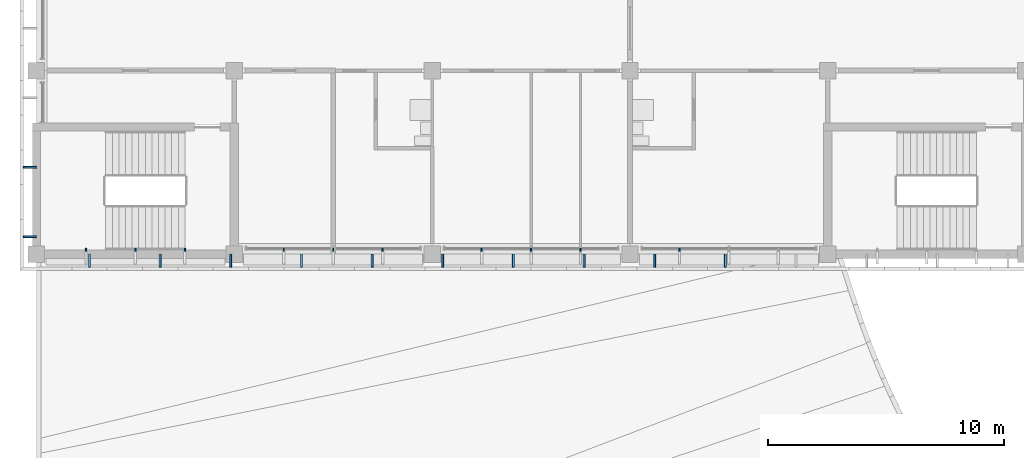
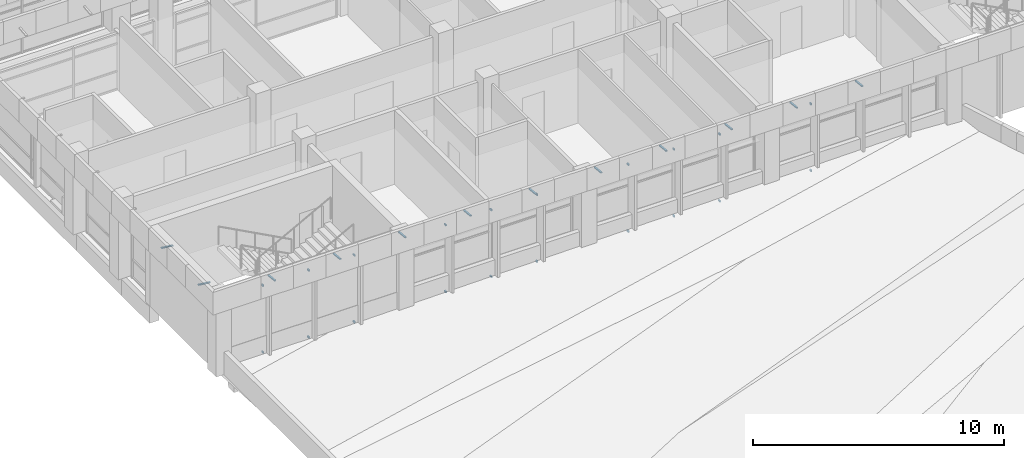
# One storey, part 48 of 74: 32 discrete accessories.
"""IFC4 building model written with IfcOpenShell, lengths in metres."""

from ifc_helpers import new_model, si_unit, direction, frame, origin, origin_2d, place, context, subcontext, project, spatial, rectangle, extrude, material, material_profile, profile_set, type_object, element, save


model = new_model("IFC4")

# Units and contexts
model_context = context("Model", 3, precision=1e-05, world=origin(), true_north=direction((0.0, 1.0)))
body_context = subcontext(model_context, "Body", "Model", "MODEL_VIEW")
ifc_project = project(units=[si_unit("LENGTHUNIT", "METRE"), si_unit("AREAUNIT", "SQUARE_METRE"), si_unit("VOLUMEUNIT", "CUBIC_METRE"), si_unit("PLANEANGLEUNIT", "RADIAN"), si_unit("MASSUNIT", "GRAM", prefix="KILO")], contexts=[model_context])

# Site, building, storey
site_placement = place(None, origin())
site = spatial("IfcSite", under=ifc_project, at=site_placement, CompositionType="ELEMENT")
building_placement = place(site_placement, origin())
building = spatial("IfcBuilding", under=site, at=building_placement, Name="Bougainvillea Quay General Hospital", CompositionType="ELEMENT")
storey_placement = place(building_placement, frame((0.0, 0.0, 21.0)))
storey = spatial("IfcBuildingStorey", under=building, at=storey_placement, Name="L04", CompositionType="ELEMENT", Elevation=21.0)

# Discrete accessories
ifc_material = material(Name="Stainless steel bracket, grade 316", Category="steel")
discrete_accessory_type_1 = type_object("IfcDiscreteAccessoryType", Name="Stainless steel fin arm 60x80", PredefinedType="BRACKET", material=ifc_material)
for number, where, z_axis, x_axis, name in (
    (1, (69.300048828125, 117.7900390625, 0.0), (0.0, 0.0, 1.0), (0.0, -1.0, 0.0), "Fin arm V5B L04 01.36B"),
    (2, (69.300048828125, 117.7900390625, 3.25), (0.0, 0.0, 1.0), (0.0, -1.0, 0.0), "Fin arm V5B L04 01.36T"),
    (3, (65.10009765625, 117.7900390625, 0.0), (0.0, 0.0, 1.0), (0.0, -1.0, 0.0), "Fin arm V5B L04 01.37B"),
    (4, (65.10009765625, 117.7900390625, 3.25), (0.0, 0.0, 1.0), (0.0, -1.0, 0.0), "Fin arm V5B L04 01.37T"),
    (5, (63.0, 117.7900390625, 0.0), (0.0, 0.0, 1.0), (0.0, -1.0, 0.0), "Fin arm V5B L04 01.38B"),
    (6, (63.0, 117.7900390625, 3.25), (0.0, 0.0, 1.0), (0.0, -1.0, 0.0), "Fin arm V5B L04 01.38T"),
    (7, (60.89990234375, 117.7900390625, 0.0), (0.0, 0.0, 1.0), (0.0, -1.0, 0.0), "Fin arm V5B L04 01.39B"),
    (8, (60.89990234375, 117.7900390625, 3.25), (0.0, 0.0, 1.0), (0.0, -1.0, 0.0), "Fin arm V5B L04 01.39T"),
    (9, (56.699951171875, 117.7900390625, 0.0), (0.0, 0.0, 1.0), (0.0, -1.0, 0.0), "Fin arm V5B L04 01.40B"),
    (10, (56.699951171875, 117.7900390625, 3.25), (0.0, 0.0, 1.0), (0.0, -1.0, 0.0), "Fin arm V5B L04 01.40T"),
    (11, (54.60009765625, 117.7900390625, 0.0), (0.0, 0.0, 1.0), (0.0, -1.0, 0.0), "Fin arm V5B L04 01.41B"),
    (12, (54.60009765625, 117.7900390625, 3.25), (0.0, 0.0, 1.0), (0.0, -1.0, 0.0), "Fin arm V5B L04 01.41T"),
    (13, (52.5, 117.7900390625, 0.0), (0.0, 0.0, 1.0), (0.0, -1.0, 0.0), "Fin arm V5B L04 01.42B"),
    (14, (52.5, 117.7900390625, 3.25), (0.0, 0.0, 1.0), (0.0, -1.0, 0.0), "Fin arm V5B L04 01.42T"),
    (15, (48.300048828125, 117.7900390625, 0.0), (0.0, 0.0, 1.0), (0.0, -1.0, 0.0), "Fin arm V5B L04 01.43B"),
    (16, (48.300048828125, 117.7900390625, 3.25), (0.0, 0.0, 1.0), (0.0, -1.0, 0.0), "Fin arm V5B L04 01.43T"),
    (17, (46.199951171875, 117.7900390625, 0.0), (0.0, 0.0, 1.0), (0.0, -1.0, 0.0), "Fin arm V5B L04 01.44B"),
    (18, (46.199951171875, 117.7900390625, 3.25), (0.0, 0.0, 1.0), (0.0, -1.0, 0.0), "Fin arm V5B L04 01.44T"),
    (19, (44.10009765625, 117.7900390625, 0.0), (0.0, 0.0, 1.0), (0.0, -1.0, 0.0), "Fin arm V5B L04 01.45B"),
    (20, (44.10009765625, 117.7900390625, 3.25), (0.0, 0.0, 1.0), (0.0, -1.0, 0.0), "Fin arm V5B L04 01.45T"),
):
    element("IfcDiscreteAccessory", number, at=place(storey_placement, frame(where, z_axis=z_axis, x_axis=x_axis)), inside=storey, type_object=discrete_accessory_type_1, Name=name, PredefinedType="BRACKET", context=body_context, shape_type="SweptSolid", body=[
        extrude(rectangle(XDim=0.1201171875, YDim=0.06005859375, at=origin_2d()), origin(), (0.0, 0.0, 1.0), 0.080078125),
    ])
ifc_material_profile = material_profile(ifc_material, rectangle(XDim=0.080078125, YDim=0.050048828125, at=origin_2d()))
ifc_profile_set = profile_set([ifc_material_profile], Name="Stainless steel bracket, grade 316")
discrete_accessory_type_2 = type_object("IfcDiscreteAccessoryType", Name="Stainless steel stand-off bracket 80x50", PredefinedType="BRACKET", material=ifc_profile_set)
for number, where, z_axis, x_axis, name in (
    (21, (42.0, 121.292236328125, 3.840087890625), (-0.994139309541, 0.0, 0.108106582706), (0.0, -1.0, 0.0), "Fascia bracket e0 11"),
    (22, (42.0, 118.33837890625, 3.840087890625), (-0.994139309541, 0.0, 0.108106582706), (0.0, -1.0, 0.0), "Fascia bracket e0 13"),
    (23, (44.25, 117.60009765625, 3.840087890625), (0.0, -0.994139309541, 0.108106582706), (1.0, 0.0, 0.0), "Fascia bracket e0 15"),
    (24, (47.25, 117.60009765625, 3.840087890625), (0.0, -0.994139309541, 0.108106582706), (1.0, 0.0, 0.0), "Fascia bracket e0 17"),
    (25, (50.25, 117.60009765625, 3.840087890625), (0.0, -0.994139309541, 0.108106582706), (1.0, 0.0, 0.0), "Fascia bracket e0 19"),
    (26, (53.25, 117.60009765625, 3.840087890625), (0.0, -0.994139309541, 0.108106582706), (1.0, 0.0, 0.0), "Fascia bracket e0 21"),
    (27, (56.25, 117.60009765625, 3.840087890625), (0.0, -0.994139309541, 0.108106582706), (1.0, 0.0, 0.0), "Fascia bracket e0 23"),
    (28, (59.25, 117.60009765625, 3.840087890625), (0.0, -0.994139309541, 0.108106582706), (1.0, 0.0, 0.0), "Fascia bracket e0 25"),
    (29, (62.25, 117.60009765625, 3.840087890625), (0.0, -0.994139309541, 0.108106582706), (1.0, 0.0, 0.0), "Fascia bracket e0 27"),
    (30, (65.25, 117.60009765625, 3.840087890625), (0.0, -0.994139309541, 0.108106582706), (1.0, 0.0, 0.0), "Fascia bracket e0 29"),
    (31, (68.25, 117.60009765625, 3.840087890625), (0.0, -0.994139309541, 0.108106582706), (1.0, 0.0, 0.0), "Fascia bracket e0 31"),
    (32, (71.25, 117.60009765625, 3.840087890625), (0.0, -0.994139309541, 0.108106582706), (1.0, 0.0, 0.0), "Fascia bracket e0 33"),
):
    element("IfcDiscreteAccessory", number, at=place(storey_placement, frame(where, z_axis=z_axis, x_axis=x_axis)), inside=storey, type_object=discrete_accessory_type_2, Name=name, PredefinedType="BRACKET", context=body_context, shape_type="SweptSolid", body=[
        extrude(rectangle(XDim=0.080078125, YDim=0.050048828125, at=origin_2d()), origin(), (0.0, 0.0, 1.0), 0.55322265625),
    ])

save(model, "model.ifc")
